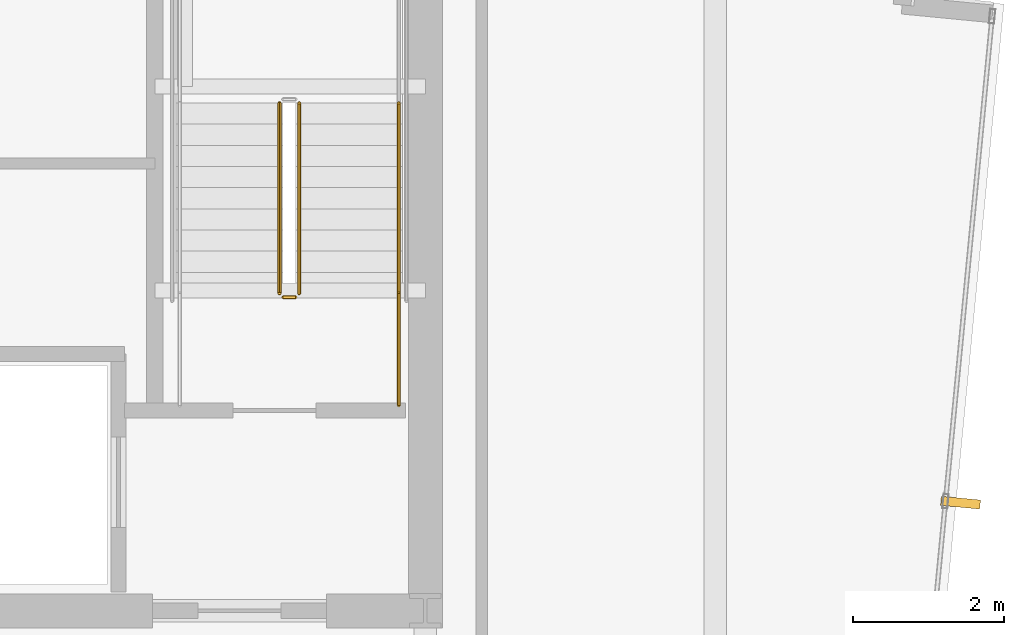
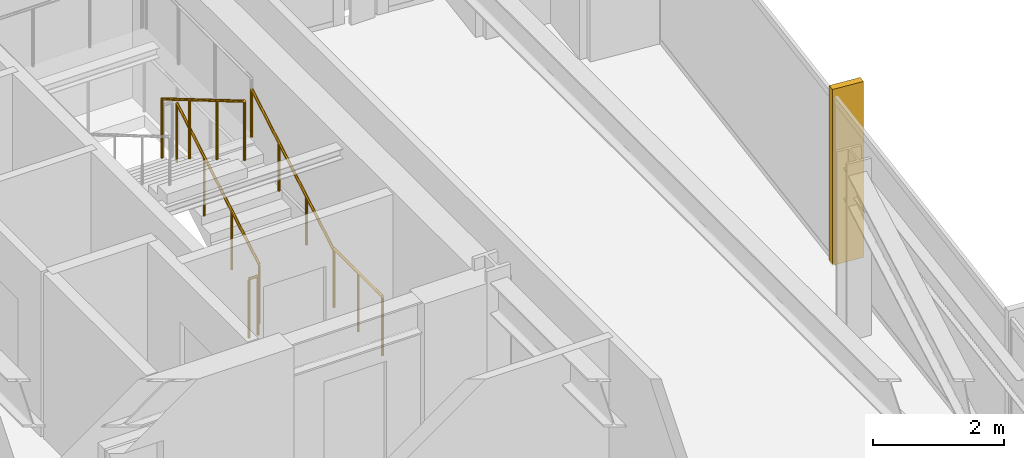
# One storey, part 35 of 37: 5 railings, 1 shading device.
"""IFC4 building model written with IfcOpenShell, lengths in metres."""

from ifc_helpers import new_model, si_unit, direction, frame, origin, origin_2d, place, context, subcontext, project, spatial, rectangle, circle, extrude, material, layer, layer_set, type_object, element, save


model = new_model("IFC4")

# Units and contexts
model_context = context("Model", 3, precision=1e-05, world=origin(), true_north=direction((0.0, 1.0)))
body_context = subcontext(model_context, "Body", "Model", "MODEL_VIEW")
ifc_project = project(units=[si_unit("LENGTHUNIT", "METRE"), si_unit("AREAUNIT", "SQUARE_METRE"), si_unit("VOLUMEUNIT", "CUBIC_METRE"), si_unit("PLANEANGLEUNIT", "RADIAN"), si_unit("MASSUNIT", "GRAM", prefix="KILO")], contexts=[model_context])

# Site, building, storey
site_placement = place(None, origin())
site = spatial("IfcSite", under=ifc_project, at=site_placement, CompositionType="ELEMENT")
building_placement = place(site_placement, origin())
building = spatial("IfcBuilding", under=site, at=building_placement, Name="Yelkora Congress Tower", CompositionType="ELEMENT")
storey_placement = place(building_placement, frame((0.0, 0.0, 165.5)))
storey = spatial("IfcBuildingStorey", under=building, at=storey_placement, Name="L45", CompositionType="ELEMENT", Elevation=165.5)

# Railings
ifc_material_1 = material(Name="Painted galvanised steel stair well guard with vertical infill", Category="steel")
ifc_layer_1 = layer(ifc_material_1, 0.06005859375)
ifc_layer_set_1 = layer_set([ifc_layer_1], Name="Painted galvanised steel stair well guard with vertical infill")
railing_type_1 = type_object("IfcRailingType", Name="RAIL-STAIR-GUARD-1120", PredefinedType="GUARDRAIL", material=ifc_layer_set_1)
railing_1_placement = place(storey_placement, frame((52.090087890625, 39.60009765625, 0.1650390625)))
element("IfcRailing", 1, at=railing_1_placement, inside=storey, type_object=railing_type_1, Name="ST-02 L45 Stair Well Guardrail 1", PredefinedType="GUARDRAIL", context=body_context, shape_type="SweptSolid", body=[
    extrude(circle(Radius=0.02392578125, at=origin_2d()), frame((0.0, 0.0, 1.09619140625), z_axis=(0.0, 0.861560626758, 0.507654692109), x_axis=(-1.0, 0.0, 0.0)), (0.0, 0.0, 1.0), 2.925048828125),
    extrude(circle(Radius=0.02099609375, at=origin_2d()), origin(), (0.0, 0.0, 1.0), 1.072021484375),
    extrude(circle(Radius=0.02099609375, at=origin_2d()), frame((0.0, 0.840087890625, 0.494873046875)), (0.0, 0.0, 1.0), 1.072021484375),
    extrude(circle(Radius=0.02099609375, at=origin_2d()), frame((0.0, 1.679931640625, 0.989990234375)), (0.0, 0.0, 1.0), 1.072021484375),
    extrude(circle(Radius=0.02099609375, at=origin_2d()), frame((0.0, 2.52001953125, 1.48486328125)), (0.0, 0.0, 1.0), 1.072021484375),
])
railing_2_placement = place(storey_placement, frame((51.830078125, 42.1201171875, 1.81494140625)))
element("IfcRailing", 2, at=railing_2_placement, inside=storey, type_object=railing_type_1, Name="ST-02 L45 Stair Well Guardrail 6", PredefinedType="GUARDRAIL", context=body_context, shape_type="SweptSolid", body=[
    extrude(circle(Radius=0.02392578125, at=origin_2d()), frame((0.0, 0.0, 1.09619140625), z_axis=(0.0, -0.86152411907, 0.507716645641), x_axis=(1.0, 0.0, 0.0)), (0.0, 0.0, 1.0), 2.925048828125),
    extrude(circle(Radius=0.02099609375, at=origin_2d()), origin(), (0.0, 0.0, 1.0), 1.072021484375),
    extrude(circle(Radius=0.02099609375, at=origin_2d()), frame((0.0, -0.840087890625, 0.4951171875)), (0.0, 0.0, 1.0), 1.072021484375),
    extrude(circle(Radius=0.02099609375, at=origin_2d()), frame((0.0, -1.679931640625, 0.989990234375)), (0.0, 0.0, 1.0), 1.072021484375),
    extrude(circle(Radius=0.02099609375, at=origin_2d()), frame((0.0, -2.52001953125, 1.485107421875)), (0.0, 0.0, 1.0), 1.072021484375),
])
railing_3_placement = place(storey_placement, frame((52.0400390625, 39.550048828125, 0.0)))
element("IfcRailing", 3, at=railing_3_placement, inside=storey, type_object=railing_type_1, Name="ST-02 L45 Stair Well Guardrail 7", PredefinedType="GUARDRAIL", context=body_context, shape_type="SweptSolid", body=[
    extrude(circle(Radius=0.02392578125, at=origin_2d()), frame((0.0, 0.0, 1.09619140625), z_axis=(-1.0, 0.0, 0.0), x_axis=(0.0, -1.0, 0.0)), (0.0, 0.0, 1.0), 0.16015625),
    extrude(circle(Radius=0.02099609375, at=origin_2d()), origin(), (0.0, 0.0, 1.0), 1.072021484375),
    extrude(circle(Radius=0.02099609375, at=origin_2d()), frame((-0.16015625, 0.0, 0.0)), (0.0, 0.0, 1.0), 1.072021484375),
])
railing_4_placement = place(storey_placement, frame((53.409912109375, 38.1201171875, 0.0)))
element("IfcRailing", 4, at=railing_4_placement, inside=storey, type_object=railing_type_1, Name="ST-02 L45 Stair Well Guardrail 8", PredefinedType="GUARDRAIL", context=body_context, shape_type="SweptSolid", body=[
    extrude(circle(Radius=0.02392578125, at=origin_2d()), frame((0.0, 0.0, 1.09619140625), z_axis=(0.0, 1.0, 0.0), x_axis=(-1.0, 0.0, 0.0)), (0.0, 0.0, 1.0), 1.47998046875),
    extrude(circle(Radius=0.02099609375, at=origin_2d()), origin(), (0.0, 0.0, 1.0), 1.072021484375),
    extrude(circle(Radius=0.02099609375, at=origin_2d()), frame((0.0, 0.739990234375, 0.0)), (0.0, 0.0, 1.0), 1.072021484375),
    extrude(circle(Radius=0.02099609375, at=origin_2d()), frame((0.0, 1.47998046875, 0.0)), (0.0, 0.0, 1.0), 1.072021484375),
])
ifc_material_2 = material(Name="Brushed stainless steel tubular handrail", Category="steel")
ifc_layer_2 = layer(ifc_material_2, 0.050048828125)
ifc_layer_set_2 = layer_set([ifc_layer_2], Name="Brushed stainless steel tubular handrail")
railing_type_2 = type_object("IfcRailingType", Name="RAIL-STAIR-HAND-920", PredefinedType="HANDRAIL", material=ifc_layer_set_2)
railing_5_placement = place(storey_placement, frame((53.409912109375, 39.60009765625, 0.1650390625)))
element("IfcRailing", 5, at=railing_5_placement, inside=storey, type_object=railing_type_2, Name="ST-02 L45 Pitch Handrail 1", PredefinedType="HANDRAIL", context=body_context, shape_type="SweptSolid", body=[
    extrude(circle(Radius=0.02392578125, at=origin_2d()), frame((0.0, 0.0, 0.89599609375), z_axis=(0.0, 0.861560626758, 0.507654692109), x_axis=(-1.0, 0.0, 0.0)), (0.0, 0.0, 1.0), 2.925048828125),
    extrude(circle(Radius=0.02099609375, at=origin_2d()), origin(), (0.0, 0.0, 1.0), 0.871826171875),
    extrude(circle(Radius=0.02099609375, at=origin_2d()), frame((0.0, 0.840087890625, 0.494873046875)), (0.0, 0.0, 1.0), 0.871826171875),
    extrude(circle(Radius=0.02099609375, at=origin_2d()), frame((0.0, 1.679931640625, 0.989990234375)), (0.0, 0.0, 1.0), 0.871826171875),
    extrude(circle(Radius=0.02099609375, at=origin_2d()), frame((0.0, 2.52001953125, 1.48486328125)), (0.0, 0.0, 1.0), 0.871826171875),
])

# Shading device
ifc_material_3 = material(Name="Champagne anodised aluminium", Category="aluminium")
ifc_layer_3 = layer(ifc_material_3, 3.300048828125)
ifc_layer_set_3 = layer_set([ifc_layer_3], Name="Champagne anodised aluminium")
shading_device_type = type_object("IfcShadingDeviceType", Name="SHD-FIN-ALU-520", PredefinedType="USERDEFINED", material=ifc_layer_set_3)
shading_device_placement = place(storey_placement, frame((60.84521484375, 36.83056640625, -0.02978515625), z_axis=(0.0, 0.0, 1.0), x_axis=(-0.09584575252, -0.995396198367, 0.0)))
element("IfcShadingDevice", 6, at=shading_device_placement, inside=storey, type_object=shading_device_type, Name="L45 Vertical Anodised Solar Fin 15-1", ObjectType="FIN", PredefinedType="USERDEFINED", context=body_context, shape_type="SweptSolid", body=[
    extrude(rectangle(XDim=0.1201171875, YDim=0.52001953125, at=origin_2d()), origin(), (0.0, 0.0, 1.0), 3.280029296875),
])

save(model, "model.ifc")
